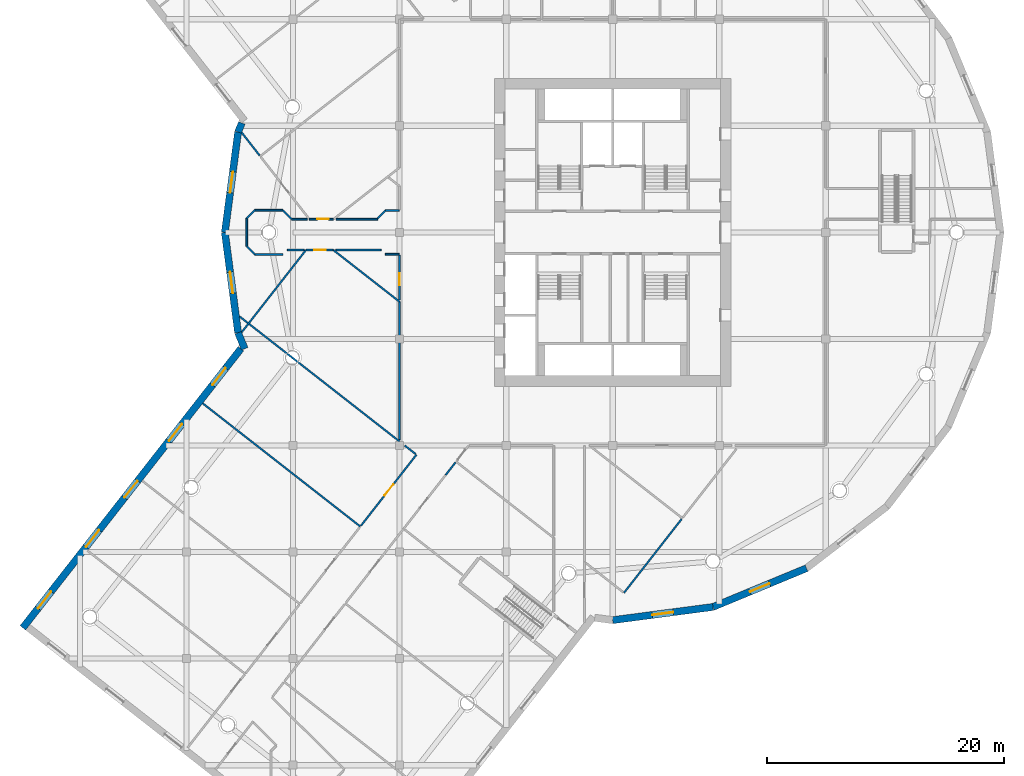
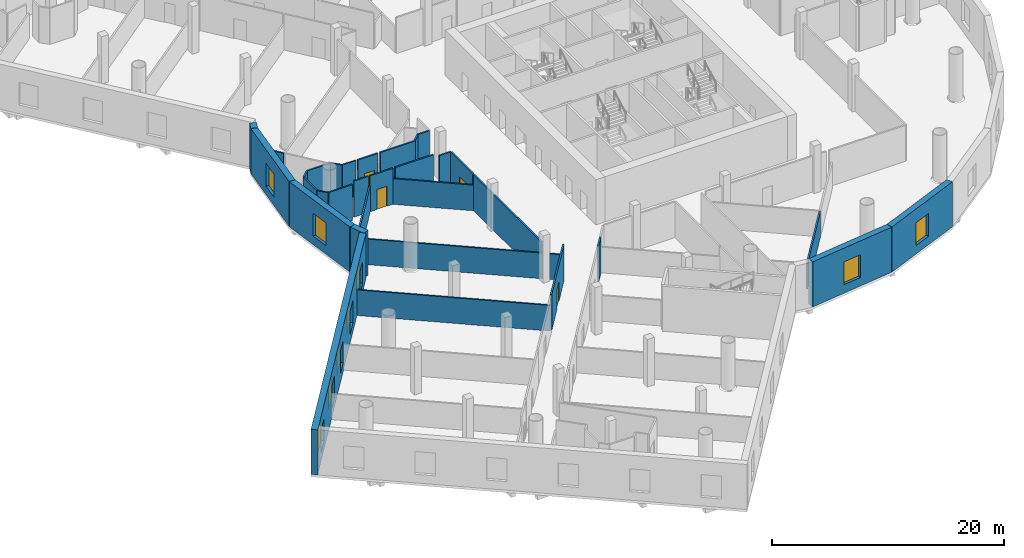
# One storey, part 6 of 22: 33 walls, 9 windows, 4 doors, 13 openings.
"""IFC4 building model written with IfcOpenShell, lengths in metres."""

from ifc_helpers import new_model, si_unit, direction, frame, frame_2d, origin, place, context, subcontext, project, spatial, rectangle, extrude, material, layer, layer_set, type_object, element, fill, save


model = new_model("IFC4")

# Units and contexts
model_context = context("Model", 3, precision=1e-05, world=origin(), true_north=direction((0.0, 1.0)))
body_context = subcontext(model_context, "Body", "Model", "MODEL_VIEW")
ifc_project = project(units=[si_unit("LENGTHUNIT", "METRE"), si_unit("AREAUNIT", "SQUARE_METRE"), si_unit("VOLUMEUNIT", "CUBIC_METRE"), si_unit("PLANEANGLEUNIT", "RADIAN"), si_unit("MASSUNIT", "GRAM", prefix="KILO")], contexts=[model_context])

# Site, building, storey
site_placement = place(None, origin())
site = spatial("IfcSite", under=ifc_project, at=site_placement, CompositionType="ELEMENT")
building_placement = place(site_placement, origin())
building = spatial("IfcBuilding", under=site, at=building_placement, Name="Tarsis Ring Headquarters", CompositionType="ELEMENT")
storey_placement = place(building_placement, frame((0.0, 0.0, 25.0)))
storey = spatial("IfcBuildingStorey", under=building, at=storey_placement, Name="L04", CompositionType="ELEMENT", Elevation=25.0)

# Walls
ifc_material_1 = material(Name="Plasterboard partition")
ifc_layer_1 = layer(ifc_material_1, 0.14990234375)
ifc_layer_set_1 = layer_set([ifc_layer_1], Name="PO-PW150")
wall_type_1 = type_object("IfcWallType", Name="PO-PW150", PredefinedType="PARTITIONING", material=ifc_layer_set_1)
wall_1_placement = place(storey_placement, frame((-31.520751953125, -7.098876953125, 0.0), z_axis=(0.0, 0.0, 1.0), x_axis=(0.788013371835, -0.615658124132, 0.0)))
element("IfcWall", 1, at=wall_1_placement, inside=storey, type_object=wall_type_1, Name="L04 partition wall 2", PredefinedType="PARTITIONING", context=body_context, shape_type="SweptSolid", body=[
    extrude(rectangle(XDim=17.157958984375, YDim=0.14990234375, at=frame_2d((8.5791015625, 0.0))), origin(), (0.0, 0.0, 1.0), 2.699951171875),
])
wall_2_placement = place(storey_placement, frame((-34.631591796875, -14.439697265625, 0.0), z_axis=(0.0, 0.0, 1.0), x_axis=(0.788007728406, -0.615665347386, 0.0)))
element("IfcWall", 2, at=wall_2_placement, inside=storey, type_object=wall_type_1, Name="L04 partition wall 7", PredefinedType="PARTITIONING", context=body_context, shape_type="SweptSolid", body=[
    extrude(rectangle(XDim=16.900146484375, YDim=0.14990234375, at=frame_2d((8.4501953125, 0.0))), origin(), (0.0, 0.0, 1.0), 2.699951171875),
])
wall_3_placement = place(storey_placement, frame((-25.904296875, -1.48291015625, 0.0), z_axis=(0.0, 0.0, 1.0), x_axis=(-0.61566552508, -0.788007589575, 0.0)))
element("IfcWall", 3, at=wall_3_placement, inside=storey, type_object=wall_type_1, Name="L04 partition wall 31", PredefinedType="PARTITIONING", context=body_context, shape_type="SweptSolid", body=[
    extrude(rectangle(XDim=8.8212890625, YDim=0.14990234375, at=frame_2d((4.41064453125, 0.0))), origin(), (0.0, 0.0, 1.0), 2.699951171875),
])
wall_4_placement = place(storey_placement, frame((0.959716796875, -30.44482421875, 0.0), z_axis=(0.0, 0.0, 1.0), x_axis=(0.615661389754, 0.788010820463, 0.0)))
element("IfcWall", 4, at=wall_4_placement, inside=storey, type_object=wall_type_1, Name="L04 partition wall 36", PredefinedType="PARTITIONING", context=body_context, shape_type="SweptSolid", body=[
    extrude(rectangle(XDim=7.919921875, YDim=0.14990234375, at=frame_2d((3.9599609375, 0.0))), origin(), (0.0, 0.0, 1.0), 2.699951171875),
])
wall_5_placement = place(storey_placement, frame((-23.60302734375, -1.48291015625, 0.0), z_axis=(0.0, 0.0, 1.0), x_axis=(0.788019168065, -0.615650705159, 0.0)))
element("IfcWall", 5, at=wall_5_placement, inside=storey, type_object=wall_type_1, Name="L04 partition wall 47", PredefinedType="PARTITIONING", context=body_context, shape_type="SweptSolid", body=[
    extrude(rectangle(XDim=7.1103515625, YDim=0.14990234375, at=frame_2d((3.55517578125, 0.0))), origin(), (0.0, 0.0, 1.0), 2.699951171875),
])
wall_6_placement = place(storey_placement, frame((-31.335205078125, 8.43408203125, 0.0), z_axis=(0.0, 0.0, 1.0), x_axis=(0.615617056984, -0.788045455003, 0.0)))
element("IfcWall", 6, at=wall_6_placement, inside=storey, type_object=wall_type_1, Name="L04 partition wall 100", PredefinedType="PARTITIONING", context=body_context, shape_type="SweptSolid", body=[
    extrude(rectangle(XDim=2.4580078125, YDim=0.14990234375, at=frame_2d((1.22900390625, 0.0))), origin(), (0.0, 0.0, 1.0), 2.699951171875),
])
wall_7_placement = place(storey_placement, frame((-16.636474609375, -18.7275390625, 0.0), z_axis=(0.0, 0.0, 1.0), x_axis=(-0.788071348033, 0.615583910128, 0.0)))
element("IfcWall", 7, at=wall_7_placement, inside=storey, type_object=wall_type_1, Name="L04 partition wall 130", PredefinedType="PARTITIONING", context=body_context, shape_type="SweptSolid", body=[
    extrude(rectangle(XDim=1.181884765625, YDim=0.14990234375, at=frame_2d((0.5908203125, 0.0))), origin(), (0.0, 0.0, 1.0), 2.699951171875),
])
ifc_layer_2 = layer(ifc_material_1, 0.14990234375)
ifc_layer_set_2 = layer_set([ifc_layer_2], Name="PO-PW150R-3783")
wall_type_2 = type_object("IfcWallType", Name="PO-PW150R-3783", PredefinedType="PARTITIONING", material=ifc_layer_set_2)
wall_8_placement = place(storey_placement, frame((-18.0, -17.502197265625, 0.0), z_axis=(0.0, 0.0, 1.0), x_axis=(0.0, 1.0, 0.0)))
element("IfcWall", 8, at=wall_8_placement, inside=storey, type_object=wall_type_2, Name="L04 partition wall 16", PredefinedType="PARTITIONING", context=body_context, shape_type="SweptSolid", body=[
    extrude(rectangle(XDim=11.641845703125, YDim=0.14990234375, at=frame_2d((5.82080078125, 0.0))), origin(), (0.0, 0.0, 1.0), 3.782958984375),
])

# Wall, opening, door
wall_9_placement = place(storey_placement, frame((-21.264892578125, -24.781494140625, 0.0), z_axis=(0.0, 0.0, 1.0), x_axis=(0.615667046272, 0.788006401075, 0.0)))
wall_9 = element("IfcWall", 9, at=wall_9_placement, inside=storey, type_object=wall_type_2, Name="L04 partition wall 42", PredefinedType="PARTITIONING", context=body_context, shape_type="SweptSolid", body=[
    extrude(rectangle(XDim=7.6201171875, YDim=0.14990234375, at=frame_2d((3.81005859375, 0.0))), origin(), (0.0, 0.0, 1.0), 3.782958984375),
])
opening_1_placement = place(wall_9_placement, frame((3.239990234375, 0.0, 0.0)))
opening_1 = element("IfcOpeningElement", 10, at=opening_1_placement, cuts=wall_9, Name="Opening PO-D2", PredefinedType="OPENING", context=body_context, shape_type="SweptSolid", body=[
    extrude(rectangle(XDim=1.199951171875, YDim=2.10009765625, at=frame_2d((0.60009765625, 1.050048828125))), frame((0.0, 0.0849609375, 0.0), z_axis=(0.0, -1.0, 0.0), x_axis=(1.0, 0.0, 0.0)), (0.0, 0.0, 1.0), 0.169921875),
])
ifc_material_2 = material(Name="Timber door", Category="wood")
door_type_1 = type_object("IfcDoorType", Name="PO-D1200", OperationType="NOTDEFINED", PredefinedType="DOOR", material=ifc_material_2)
door_1_placement = place(opening_1_placement, origin())
door_1 = element("IfcDoor", 11, at=door_1_placement, inside=storey, type_object=door_type_1, Name="Nursery playroom door", OperationType="SINGLE_SWING_LEFT", OverallHeight=2.10009765625, OverallWidth=1.199951171875, PredefinedType="DOOR", context=body_context, shape_type="SweptSolid", body=[
    extrude(rectangle(XDim=1.199951171875, YDim=2.10009765625, at=frame_2d((0.60009765625, 1.050048828125))), frame((0.0, 0.02490234375, 0.0), z_axis=(0.0, -1.0, 0.0), x_axis=(1.0, 0.0, 0.0)), (0.0, 0.0, 1.0), 0.050048828125),
])
fill(opening_1, door_1)

# Wall
wall_10_placement = place(storey_placement, frame((-19.567138671875, -1.48291015625, 0.0), z_axis=(0.0, 0.0, 1.0), x_axis=(-1.0, 0.0, 0.0)))
element("IfcWall", 12, at=wall_10_placement, inside=storey, type_object=wall_type_2, Name="L04 partition wall 76", PredefinedType="PARTITIONING", context=body_context, shape_type="SweptSolid", body=[
    extrude(rectangle(XDim=3.81591796875, YDim=0.14990234375, at=frame_2d((1.907958984375, 0.0))), origin(), (0.0, 0.0, 1.0), 3.782958984375),
])

# Wall, opening, door
wall_11_placement = place(storey_placement, frame((-18.0, -5.700439453125, 0.0), z_axis=(0.0, 0.0, 1.0), x_axis=(0.0, 1.0, 0.0)))
wall_11 = element("IfcWall", 13, at=wall_11_placement, inside=storey, type_object=wall_type_2, Name="L04 partition wall 82", PredefinedType="PARTITIONING", context=body_context, shape_type="SweptSolid", body=[
    extrude(rectangle(XDim=3.79052734375, YDim=0.14990234375, at=frame_2d((1.895263671875, 0.0))), origin(), (0.0, 0.0, 1.0), 3.782958984375),
])
opening_2_placement = place(wall_11_placement, frame((1.238525390625, 0.0, 0.0)))
opening_2 = element("IfcOpeningElement", 14, at=opening_2_placement, cuts=wall_11, Name="Opening PO-D1", PredefinedType="OPENING", context=body_context, shape_type="SweptSolid", body=[
    extrude(rectangle(XDim=1.0, YDim=2.10009765625, at=frame_2d((0.5, 1.050048828125))), frame((0.0, 0.0849609375, 0.0), z_axis=(0.0, -1.0, 0.0), x_axis=(1.0, 0.0, 0.0)), (0.0, 0.0, 1.0), 0.169921875),
])
door_type_2 = type_object("IfcDoorType", Name="PO-D1000", OperationType="NOTDEFINED", PredefinedType="DOOR", material=ifc_material_2)
door_2_placement = place(opening_2_placement, origin())
door_2 = element("IfcDoor", 15, at=door_2_placement, inside=storey, type_object=door_type_2, Name="Parents' room door", OperationType="SINGLE_SWING_LEFT", OverallHeight=2.10009765625, OverallWidth=1.0, PredefinedType="DOOR", context=body_context, shape_type="SweptSolid", body=[
    extrude(rectangle(XDim=1.0, YDim=2.10009765625, at=frame_2d((0.5, 1.050048828125))), frame((0.0, 0.02490234375, 0.0), z_axis=(0.0, -1.0, 0.0), x_axis=(1.0, 0.0, 0.0)), (0.0, 0.0, 1.0), 0.050048828125),
])
fill(opening_2, door_2)

# Walls
wall_12_placement = place(storey_placement, frame((-23.360595703125, 1.1171875, 0.0), z_axis=(0.0, 0.0, 1.0), x_axis=(1.0, 0.0, 0.0)))
element("IfcWall", 16, at=wall_12_placement, inside=storey, type_object=wall_type_2, Name="L04 partition wall 84", PredefinedType="PARTITIONING", context=body_context, shape_type="SweptSolid", body=[
    extrude(rectangle(XDim=3.510498046875, YDim=0.14990234375, at=frame_2d((1.75537109375, 0.0))), origin(), (0.0, 0.0, 1.0), 3.782958984375),
])
for number, where, z_axis, x_axis, name in (
    (17, (-27.868408203125, -1.8701171875, 0.0), (0.0, 0.0, 1.0), (-1.0, 0.0, 0.0), "L04 partition wall 107"),
    (18, (-30.228515625, 1.8701171875, 0.0), (0.0, 0.0, 1.0), (1.0, 0.0, 0.0), "L04 partition wall 108"),
):
    element("IfcWall", number, at=place(storey_placement, frame(where, z_axis=z_axis, x_axis=x_axis)), inside=storey, type_object=wall_type_2, Name=name, PredefinedType="PARTITIONING", context=body_context, shape_type="SweptSolid", body=[
        extrude(rectangle(XDim=2.360107421875, YDim=0.14990234375, at=frame_2d((1.18017578125, 0.0))), origin(), (0.0, 0.0, 1.0), 3.782958984375),
    ])
wall_13_placement = place(storey_placement, frame((-30.91845703125, -1.179931640625, 0.0), z_axis=(0.0, 0.0, 1.0), x_axis=(0.0, 1.0, 0.0)))
element("IfcWall", 19, at=wall_13_placement, inside=storey, type_object=wall_type_2, Name="L04 partition wall 109", PredefinedType="PARTITIONING", context=body_context, shape_type="SweptSolid", body=[
    extrude(rectangle(XDim=2.35986328125, YDim=0.14990234375, at=frame_2d((1.179931640625, 0.0))), origin(), (0.0, 0.0, 1.0), 3.782958984375),
])

# Wall, opening, door
wall_14_placement = place(storey_placement, frame((-23.60302734375, -1.48291015625, 0.0), z_axis=(0.0, 0.0, 1.0), x_axis=(-1.0, 0.0, 0.0)))
wall_14 = element("IfcWall", 20, at=wall_14_placement, inside=storey, type_object=wall_type_2, Name="L04 partition wall 110", PredefinedType="PARTITIONING", context=body_context, shape_type="SweptSolid", body=[
    extrude(rectangle(XDim=2.30126953125, YDim=0.14990234375, at=frame_2d((1.150634765625, 0.0))), origin(), (0.0, 0.0, 1.0), 3.782958984375),
])
opening_3_placement = place(wall_14_placement, frame((0.6201171875, 0.0, 0.0)))
opening_3 = element("IfcOpeningElement", 21, at=opening_3_placement, cuts=wall_14, Name="Opening PO-D1", PredefinedType="OPENING", context=body_context, shape_type="SweptSolid", body=[
    extrude(rectangle(XDim=1.0, YDim=2.10009765625, at=frame_2d((0.5, 1.050048828125))), frame((0.0, 0.0849609375, 0.0), z_axis=(0.0, -1.0, 0.0), x_axis=(1.0, 0.0, 0.0)), (0.0, 0.0, 1.0), 0.169921875),
])
door_3_placement = place(opening_3_placement, origin())
door_3 = element("IfcDoor", 22, at=door_3_placement, inside=storey, type_object=door_type_2, Name="Nursery kitchenette door", OperationType="SINGLE_SWING_RIGHT", OverallHeight=2.10009765625, OverallWidth=1.0, PredefinedType="DOOR", context=body_context, shape_type="SweptSolid", body=[
    extrude(rectangle(XDim=1.0, YDim=2.10009765625, at=frame_2d((0.5, 1.050048828125))), frame((0.0, 0.02490234375, 0.0), z_axis=(0.0, -1.0, 0.0), x_axis=(1.0, 0.0, 0.0)), (0.0, 0.0, 1.0), 0.050048828125),
])
fill(opening_3, door_3)

wall_15_placement = place(storey_placement, frame((-25.61865234375, 1.1171875, 0.0), z_axis=(0.0, 0.0, 1.0), x_axis=(1.0, 0.0, 0.0)))
wall_15 = element("IfcWall", 23, at=wall_15_placement, inside=storey, type_object=wall_type_2, Name="L04 partition wall 114", PredefinedType="PARTITIONING", context=body_context, shape_type="SweptSolid", body=[
    extrude(rectangle(XDim=2.03466796875, YDim=0.14990234375, at=frame_2d((1.017333984375, 0.0))), origin(), (0.0, 0.0, 1.0), 3.782958984375),
])
opening_4_placement = place(wall_15_placement, frame((0.6484375, 0.0, 0.0)))
opening_4 = element("IfcOpeningElement", 24, at=opening_4_placement, cuts=wall_15, Name="Opening PO-D1", PredefinedType="OPENING", context=body_context, shape_type="SweptSolid", body=[
    extrude(rectangle(XDim=1.0, YDim=2.10009765625, at=frame_2d((0.5, 1.050048828125))), frame((0.0, 0.0849609375, 0.0), z_axis=(0.0, -1.0, 0.0), x_axis=(1.0, 0.0, 0.0)), (0.0, 0.0, 1.0), 0.169921875),
])
door_4_placement = place(opening_4_placement, origin())
door_4 = element("IfcDoor", 25, at=door_4_placement, inside=storey, type_object=door_type_2, Name="Studio room door", OperationType="SINGLE_SWING_RIGHT", OverallHeight=2.10009765625, OverallWidth=1.0, PredefinedType="DOOR", context=body_context, shape_type="SweptSolid", body=[
    extrude(rectangle(XDim=1.0, YDim=2.10009765625, at=frame_2d((0.5, 1.050048828125))), frame((0.0, 0.02490234375, 0.0), z_axis=(0.0, -1.0, 0.0), x_axis=(1.0, 0.0, 0.0)), (0.0, 0.0, 1.0), 0.050048828125),
])
fill(opening_4, door_4)

# Walls
wall_16_placement = place(storey_placement, frame((-26.065673828125, -1.48291015625, 0.0), z_axis=(0.0, 0.0, 1.0), x_axis=(-1.0, 0.0, 0.0)))
element("IfcWall", 26, at=wall_16_placement, inside=storey, type_object=wall_type_2, Name="L04 partition wall 123", PredefinedType="PARTITIONING", context=body_context, shape_type="SweptSolid", body=[
    extrude(rectangle(XDim=1.415771484375, YDim=0.14990234375, at=frame_2d((0.7080078125, 0.0))), origin(), (0.0, 0.0, 1.0), 3.782958984375),
])
wall_17_placement = place(storey_placement, frame((-27.11572265625, 1.1171875, 0.0), z_axis=(0.0, 0.0, 1.0), x_axis=(1.0, 0.0, 0.0)))
element("IfcWall", 27, at=wall_17_placement, inside=storey, type_object=wall_type_2, Name="L04 partition wall 124", PredefinedType="PARTITIONING", context=body_context, shape_type="SweptSolid", body=[
    extrude(rectangle(XDim=1.335693359375, YDim=0.14990234375, at=frame_2d((0.66796875, 0.0))), origin(), (0.0, 0.0, 1.0), 3.782958984375),
])
wall_18_placement = place(storey_placement, frame((-13.273681640625, -19.426025390625, 0.0), z_axis=(0.0, 0.0, 1.0), x_axis=(-0.615703241225, -0.787978120728, 0.0)))
element("IfcWall", 28, at=wall_18_placement, inside=storey, type_object=wall_type_2, Name="L04 partition wall 125", PredefinedType="PARTITIONING", context=body_context, shape_type="SweptSolid", body=[
    extrude(rectangle(XDim=1.3603515625, YDim=0.14990234375, at=frame_2d((0.68017578125, 0.0))), origin(), (0.0, 0.0, 1.0), 3.782958984375),
])
for number, where, z_axis, x_axis, name in (
    (29, (-19.199951171875, 1.85009765625, 0.0), (0.0, 0.0, 1.0), (1.0, 0.0, 0.0), "L04 partition wall 135"),
    (30, (-18.0400390625, -1.85009765625, 0.0), (0.0, 0.0, 1.0), (-1.0, 0.0, 0.0), "L04 partition wall 136"),
):
    element("IfcWall", number, at=place(storey_placement, frame(where, z_axis=z_axis, x_axis=x_axis)), inside=storey, type_object=wall_type_2, Name=name, PredefinedType="PARTITIONING", context=body_context, shape_type="SweptSolid", body=[
        extrude(rectangle(XDim=1.159912109375, YDim=0.14990234375, at=frame_2d((0.580078125, 0.0))), origin(), (0.0, 0.0, 1.0), 3.782958984375),
    ])
wall_19_placement = place(storey_placement, frame((-27.868408203125, 1.8701171875, 0.0), z_axis=(0.0, 0.0, 1.0), x_axis=(0.706992112125, -0.707221431655, 0.0)))
element("IfcWall", 31, at=wall_19_placement, inside=storey, type_object=wall_type_2, Name="L04 partition wall 139", PredefinedType="PARTITIONING", context=body_context, shape_type="SweptSolid", body=[
    extrude(rectangle(XDim=1.064697265625, YDim=0.14990234375, at=frame_2d((0.5322265625, 0.0))), origin(), (0.0, 0.0, 1.0), 3.782958984375),
])
for number, where, z_axis, x_axis, name in (
    (32, (-30.228515625, -1.8701171875, 0.0), (0.0, 0.0, 1.0), (-0.706981684899, 0.707231855347, 0.0), "L04 partition wall 140"),
    (33, (-30.91845703125, 1.179931640625, 0.0), (0.0, 0.0, 1.0), (0.706981684899, 0.707231855347, 0.0), "L04 partition wall 141"),
):
    element("IfcWall", number, at=place(storey_placement, frame(where, z_axis=z_axis, x_axis=x_axis)), inside=storey, type_object=wall_type_2, Name=name, PredefinedType="PARTITIONING", context=body_context, shape_type="SweptSolid", body=[
        extrude(rectangle(XDim=0.975830078125, YDim=0.14990234375, at=frame_2d((0.48779296875, 0.0))), origin(), (0.0, 0.0, 1.0), 3.782958984375),
    ])
wall_20_placement = place(storey_placement, frame((-19.85009765625, 1.199951171875, 0.0), z_axis=(0.0, 0.0, 1.0), x_axis=(0.707106781187, 0.707106781187, 0.0)))
element("IfcWall", 34, at=wall_20_placement, inside=storey, type_object=wall_type_2, Name="L04 partition wall 147", PredefinedType="PARTITIONING", context=body_context, shape_type="SweptSolid", body=[
    extrude(rectangle(XDim=0.91943359375, YDim=0.14990234375, at=frame_2d((0.459716796875, 0.0))), origin(), (0.0, 0.0, 1.0), 3.782958984375),
])
ifc_material_3 = material(Name="Concrete C60/75", Category="concrete")
ifc_layer_3 = layer(ifc_material_3, 0.60009765625)
ifc_layer_set_3 = layer_set([ifc_layer_3], Name="PO-W600")
wall_type_3 = type_object("IfcWallType", Name="PO-W600", PredefinedType="SOLIDWALL", material=ifc_layer_set_3)
wall_21_placement = place(storey_placement, frame((-31.325927734375, 9.24072265625, 0.0), z_axis=(0.0, 0.0, 1.0), x_axis=(-0.382534701942, -0.923941124645, 0.0)))
element("IfcWall", 35, at=wall_21_placement, inside=storey, type_object=wall_type_3, Name="L04 external wall 2", PredefinedType="SOLIDWALL", context=body_context, shape_type="SweptSolid", body=[
    extrude(rectangle(XDim=0.8251953125, YDim=0.60009765625, at=frame_2d((0.41259765625, 0.0))), origin(), (0.0, 0.0, 1.0), 4.75),
])

# Wall, opening, window
wall_22_placement = place(storey_placement, frame((-31.6416015625, 8.478271484375, 0.0), z_axis=(0.0, 0.0, 1.0), x_axis=(-0.130529102837, -0.991444478179, 0.0)))
wall_22 = element("IfcWall", 36, at=wall_22_placement, inside=storey, type_object=wall_type_3, Name="L04 external wall 3", PredefinedType="SOLIDWALL", context=body_context, shape_type="SweptSolid", body=[
    extrude(rectangle(XDim=8.551513671875, YDim=0.60009765625, at=frame_2d((4.27587890625, 0.0))), origin(), (0.0, 0.0, 1.0), 4.75),
])
opening_5_placement = place(wall_22_placement, frame((3.375732421875, 0.0, 0.89990234375)))
opening_5 = element("IfcOpeningElement", 37, at=opening_5_placement, cuts=wall_22, Name="Opening PO-WN1", PredefinedType="OPENING", context=body_context, shape_type="SweptSolid", body=[
    extrude(rectangle(XDim=1.800048828125, YDim=2.39990234375, at=frame_2d((0.89990234375, 1.199951171875))), frame((0.0, 0.31005859375, 0.0), z_axis=(0.0, -1.0, 0.0), x_axis=(1.0, 0.0, 0.0)), (0.0, 0.0, 1.0), 0.6201171875),
])
ifc_material_4 = material(Name="Double glazing", Category="glass")
window_type = type_object("IfcWindowType", Name="PO-WN1800", PartitioningType="SINGLE_PANEL", PredefinedType="WINDOW", material=ifc_material_4)
window_1_placement = place(opening_5_placement, origin())
window_1 = element("IfcWindow", 38, at=window_1_placement, inside=storey, type_object=window_type, Name="L04 window 3.1", OverallHeight=2.39990234375, OverallWidth=1.800048828125, PartitioningType="SINGLE_PANEL", PredefinedType="WINDOW", context=body_context, shape_type="SweptSolid", body=[
    extrude(rectangle(XDim=1.800048828125, YDim=2.39990234375, at=frame_2d((0.89990234375, 1.199951171875))), frame((0.0, 0.030029296875, 0.0), z_axis=(0.0, -1.0, 0.0), x_axis=(1.0, 0.0, 0.0)), (0.0, 0.0, 1.0), 0.06005859375),
])
fill(opening_5, window_1)

wall_23_placement = place(storey_placement, frame((-32.7578125, 0.0, 0.0), z_axis=(0.0, 0.0, 1.0), x_axis=(0.130529102837, -0.991444478179, 0.0)))
wall_23 = element("IfcWall", 39, at=wall_23_placement, inside=storey, type_object=wall_type_3, Name="L04 external wall 4", PredefinedType="SOLIDWALL", context=body_context, shape_type="SweptSolid", body=[
    extrude(rectangle(XDim=8.551513671875, YDim=0.60009765625, at=frame_2d((4.27587890625, 0.0))), origin(), (0.0, 0.0, 1.0), 4.75),
])
opening_6_placement = place(wall_23_placement, frame((3.375732421875, 0.0, 0.89990234375)))
opening_6 = element("IfcOpeningElement", 40, at=opening_6_placement, cuts=wall_23, Name="Opening PO-WN1", PredefinedType="OPENING", context=body_context, shape_type="SweptSolid", body=[
    extrude(rectangle(XDim=1.800048828125, YDim=2.39990234375, at=frame_2d((0.89990234375, 1.199951171875))), frame((0.0, 0.31005859375, 0.0), z_axis=(0.0, -1.0, 0.0), x_axis=(1.0, 0.0, 0.0)), (0.0, 0.0, 1.0), 0.6201171875),
])
window_2_placement = place(opening_6_placement, origin())
window_2 = element("IfcWindow", 41, at=window_2_placement, inside=storey, type_object=window_type, Name="L04 window 4.1", OverallHeight=2.39990234375, OverallWidth=1.800048828125, PartitioningType="SINGLE_PANEL", PredefinedType="WINDOW", context=body_context, shape_type="SweptSolid", body=[
    extrude(rectangle(XDim=1.800048828125, YDim=2.39990234375, at=frame_2d((0.89990234375, 1.199951171875))), frame((0.0, 0.030029296875, 0.0), z_axis=(0.0, -1.0, 0.0), x_axis=(1.0, 0.0, 0.0)), (0.0, 0.0, 1.0), 0.06005859375),
])
fill(opening_6, window_2)

# Wall
wall_24_placement = place(storey_placement, frame((-31.6416015625, -8.478271484375, 0.0), z_axis=(0.0, 0.0, 1.0), x_axis=(0.382709854909, -0.923868587493, 0.0)))
element("IfcWall", 42, at=wall_24_placement, inside=storey, type_object=wall_type_3, Name="L04 external wall 5", PredefinedType="SOLIDWALL", context=body_context, shape_type="SweptSolid", body=[
    extrude(rectangle(XDim=1.46533203125, YDim=0.60009765625, at=frame_2d((0.732666015625, 0.0))), origin(), (0.0, 0.0, 1.0), 4.75),
])

# Wall, openings, windows
wall_25_placement = place(storey_placement, frame((-31.405029296875, -9.82275390625, 0.0), z_axis=(0.0, 0.0, 1.0), x_axis=(-0.615662407014, -0.788010025691, 0.0)))
wall_25 = element("IfcWall", 43, at=wall_25_placement, inside=storey, type_object=wall_type_3, Name="L04 external wall 6", PredefinedType="SOLIDWALL", context=body_context, shape_type="SweptSolid", body=[
    extrude(rectangle(XDim=29.9248046875, YDim=0.60009765625, at=frame_2d((14.96240234375, 0.0))), origin(), (0.0, 0.0, 1.0), 4.75),
])
opening_7_placement = place(wall_25_placement, frame((2.092529296875, 0.0, 0.89990234375)))
opening_7 = element("IfcOpeningElement", 44, at=opening_7_placement, cuts=wall_25, Name="Opening PO-WN1", PredefinedType="OPENING", context=body_context, shape_type="SweptSolid", body=[
    extrude(rectangle(XDim=1.800048828125, YDim=2.39990234375, at=frame_2d((0.89990234375, 1.199951171875))), frame((0.0, 0.31005859375, 0.0), z_axis=(0.0, -1.0, 0.0), x_axis=(1.0, 0.0, 0.0)), (0.0, 0.0, 1.0), 0.6201171875),
])
opening_8_placement = place(wall_25_placement, frame((8.077392578125, 0.0, 0.89990234375)))
opening_8 = element("IfcOpeningElement", 45, at=opening_8_placement, cuts=wall_25, Name="Opening PO-WN1", PredefinedType="OPENING", context=body_context, shape_type="SweptSolid", body=[
    extrude(rectangle(XDim=1.800048828125, YDim=2.39990234375, at=frame_2d((0.89990234375, 1.199951171875))), frame((0.0, 0.31005859375, 0.0), z_axis=(0.0, -1.0, 0.0), x_axis=(1.0, 0.0, 0.0)), (0.0, 0.0, 1.0), 0.6201171875),
])
opening_9_placement = place(wall_25_placement, frame((14.162353515625, 0.0, 0.89990234375)))
opening_9 = element("IfcOpeningElement", 46, at=opening_9_placement, cuts=wall_25, Name="Opening PO-WN1", PredefinedType="OPENING", context=body_context, shape_type="SweptSolid", body=[
    extrude(rectangle(XDim=1.800048828125, YDim=2.39990234375, at=frame_2d((0.89990234375, 1.199951171875))), frame((0.0, 0.31005859375, 0.0), z_axis=(0.0, -1.0, 0.0), x_axis=(1.0, 0.0, 0.0)), (0.0, 0.0, 1.0), 0.6201171875),
])
opening_10_placement = place(wall_25_placement, frame((19.447265625, 0.0, 0.89990234375)))
opening_10 = element("IfcOpeningElement", 47, at=opening_10_placement, cuts=wall_25, Name="Opening PO-WN1", PredefinedType="OPENING", context=body_context, shape_type="SweptSolid", body=[
    extrude(rectangle(XDim=1.800048828125, YDim=2.39990234375, at=frame_2d((0.89990234375, 1.199951171875))), frame((0.0, 0.31005859375, 0.0), z_axis=(0.0, -1.0, 0.0), x_axis=(1.0, 0.0, 0.0)), (0.0, 0.0, 1.0), 0.6201171875),
])
opening_11_placement = place(wall_25_placement, frame((26.0322265625, 0.0, 0.89990234375)))
opening_11 = element("IfcOpeningElement", 48, at=opening_11_placement, cuts=wall_25, Name="Opening PO-WN1", PredefinedType="OPENING", context=body_context, shape_type="SweptSolid", body=[
    extrude(rectangle(XDim=1.800048828125, YDim=2.39990234375, at=frame_2d((0.89990234375, 1.199951171875))), frame((0.0, 0.31005859375, 0.0), z_axis=(0.0, -1.0, 0.0), x_axis=(1.0, 0.0, 0.0)), (0.0, 0.0, 1.0), 0.6201171875),
])
window_3_placement = place(opening_7_placement, origin())
window_3 = element("IfcWindow", 49, at=window_3_placement, inside=storey, type_object=window_type, Name="L04 window 6.1", OverallHeight=2.39990234375, OverallWidth=1.800048828125, PartitioningType="SINGLE_PANEL", PredefinedType="WINDOW", context=body_context, shape_type="SweptSolid", body=[
    extrude(rectangle(XDim=1.800048828125, YDim=2.39990234375, at=frame_2d((0.89990234375, 1.199951171875))), frame((0.0, 0.030029296875, 0.0), z_axis=(0.0, -1.0, 0.0), x_axis=(1.0, 0.0, 0.0)), (0.0, 0.0, 1.0), 0.06005859375),
])
fill(opening_7, window_3)
window_4_placement = place(opening_8_placement, origin())
window_4 = element("IfcWindow", 50, at=window_4_placement, inside=storey, type_object=window_type, Name="L04 window 6.2", OverallHeight=2.39990234375, OverallWidth=1.800048828125, PartitioningType="SINGLE_PANEL", PredefinedType="WINDOW", context=body_context, shape_type="SweptSolid", body=[
    extrude(rectangle(XDim=1.800048828125, YDim=2.39990234375, at=frame_2d((0.89990234375, 1.199951171875))), frame((0.0, 0.030029296875, 0.0), z_axis=(0.0, -1.0, 0.0), x_axis=(1.0, 0.0, 0.0)), (0.0, 0.0, 1.0), 0.06005859375),
])
fill(opening_8, window_4)
window_5_placement = place(opening_9_placement, origin())
window_5 = element("IfcWindow", 51, at=window_5_placement, inside=storey, type_object=window_type, Name="L04 window 6.3", OverallHeight=2.39990234375, OverallWidth=1.800048828125, PartitioningType="SINGLE_PANEL", PredefinedType="WINDOW", context=body_context, shape_type="SweptSolid", body=[
    extrude(rectangle(XDim=1.800048828125, YDim=2.39990234375, at=frame_2d((0.89990234375, 1.199951171875))), frame((0.0, 0.030029296875, 0.0), z_axis=(0.0, -1.0, 0.0), x_axis=(1.0, 0.0, 0.0)), (0.0, 0.0, 1.0), 0.06005859375),
])
fill(opening_9, window_5)
window_6_placement = place(opening_10_placement, origin())
window_6 = element("IfcWindow", 52, at=window_6_placement, inside=storey, type_object=window_type, Name="L04 window 6.4", OverallHeight=2.39990234375, OverallWidth=1.800048828125, PartitioningType="SINGLE_PANEL", PredefinedType="WINDOW", context=body_context, shape_type="SweptSolid", body=[
    extrude(rectangle(XDim=1.800048828125, YDim=2.39990234375, at=frame_2d((0.89990234375, 1.199951171875))), frame((0.0, 0.030029296875, 0.0), z_axis=(0.0, -1.0, 0.0), x_axis=(1.0, 0.0, 0.0)), (0.0, 0.0, 1.0), 0.06005859375),
])
fill(opening_10, window_6)
window_7_placement = place(opening_11_placement, origin())
window_7 = element("IfcWindow", 53, at=window_7_placement, inside=storey, type_object=window_type, Name="L04 window 6.5", OverallHeight=2.39990234375, OverallWidth=1.800048828125, PartitioningType="SINGLE_PANEL", PredefinedType="WINDOW", context=body_context, shape_type="SweptSolid", body=[
    extrude(rectangle(XDim=1.800048828125, YDim=2.39990234375, at=frame_2d((0.89990234375, 1.199951171875))), frame((0.0, 0.030029296875, 0.0), z_axis=(0.0, -1.0, 0.0), x_axis=(1.0, 0.0, 0.0)), (0.0, 0.0, 1.0), 0.06005859375),
])
fill(opening_11, window_7)

# Wall, opening, window
wall_26_placement = place(storey_placement, frame((0.0, -32.7578125, 0.0), z_axis=(0.0, 0.0, 1.0), x_axis=(0.991444478179, 0.130529102837, 0.0)))
wall_26 = element("IfcWall", 54, at=wall_26_placement, inside=storey, type_object=wall_type_3, Name="L04 external wall 10", PredefinedType="SOLIDWALL", context=body_context, shape_type="SweptSolid", body=[
    extrude(rectangle(XDim=8.551513671875, YDim=0.60009765625, at=frame_2d((4.27587890625, 0.0))), origin(), (0.0, 0.0, 1.0), 4.75),
])
opening_12_placement = place(wall_26_placement, frame((3.375732421875, 0.0, 0.89990234375)))
opening_12 = element("IfcOpeningElement", 55, at=opening_12_placement, cuts=wall_26, Name="Opening PO-WN1", PredefinedType="OPENING", context=body_context, shape_type="SweptSolid", body=[
    extrude(rectangle(XDim=1.800048828125, YDim=2.39990234375, at=frame_2d((0.89990234375, 1.199951171875))), frame((0.0, 0.31005859375, 0.0), z_axis=(0.0, -1.0, 0.0), x_axis=(1.0, 0.0, 0.0)), (0.0, 0.0, 1.0), 0.6201171875),
])
window_8_placement = place(opening_12_placement, origin())
window_8 = element("IfcWindow", 56, at=window_8_placement, inside=storey, type_object=window_type, Name="L04 window 10.1", OverallHeight=2.39990234375, OverallWidth=1.800048828125, PartitioningType="SINGLE_PANEL", PredefinedType="WINDOW", context=body_context, shape_type="SweptSolid", body=[
    extrude(rectangle(XDim=1.800048828125, YDim=2.39990234375, at=frame_2d((0.89990234375, 1.199951171875))), frame((0.0, 0.030029296875, 0.0), z_axis=(0.0, -1.0, 0.0), x_axis=(1.0, 0.0, 0.0)), (0.0, 0.0, 1.0), 0.06005859375),
])
fill(opening_12, window_8)

wall_27_placement = place(storey_placement, frame((8.478271484375, -31.6416015625, 0.0), z_axis=(0.0, 0.0, 1.0), x_axis=(0.923883217595, 0.382674535665, 0.0)))
wall_27 = element("IfcWall", 57, at=wall_27_placement, inside=storey, type_object=wall_type_3, Name="L04 external wall 11", PredefinedType="SOLIDWALL", context=body_context, shape_type="SweptSolid", body=[
    extrude(rectangle(XDim=8.551513671875, YDim=0.60009765625, at=frame_2d((4.27587890625, 0.0))), origin(), (0.0, 0.0, 1.0), 4.75),
])
opening_13_placement = place(wall_27_placement, frame((3.375732421875, 0.0, 0.89990234375)))
opening_13 = element("IfcOpeningElement", 58, at=opening_13_placement, cuts=wall_27, Name="Opening PO-WN1", PredefinedType="OPENING", context=body_context, shape_type="SweptSolid", body=[
    extrude(rectangle(XDim=1.800048828125, YDim=2.39990234375, at=frame_2d((0.89990234375, 1.199951171875))), frame((0.0, 0.31005859375, 0.0), z_axis=(0.0, -1.0, 0.0), x_axis=(1.0, 0.0, 0.0)), (0.0, 0.0, 1.0), 0.6201171875),
])
window_9_placement = place(opening_13_placement, origin())
window_9 = element("IfcWindow", 59, at=window_9_placement, inside=storey, type_object=window_type, Name="L04 window 11.1", OverallHeight=2.39990234375, OverallWidth=1.800048828125, PartitioningType="SINGLE_PANEL", PredefinedType="WINDOW", context=body_context, shape_type="SweptSolid", body=[
    extrude(rectangle(XDim=1.800048828125, YDim=2.39990234375, at=frame_2d((0.89990234375, 1.199951171875))), frame((0.0, 0.030029296875, 0.0), z_axis=(0.0, -1.0, 0.0), x_axis=(1.0, 0.0, 0.0)), (0.0, 0.0, 1.0), 0.06005859375),
])
fill(opening_13, window_9)

save(model, "model.ifc")
